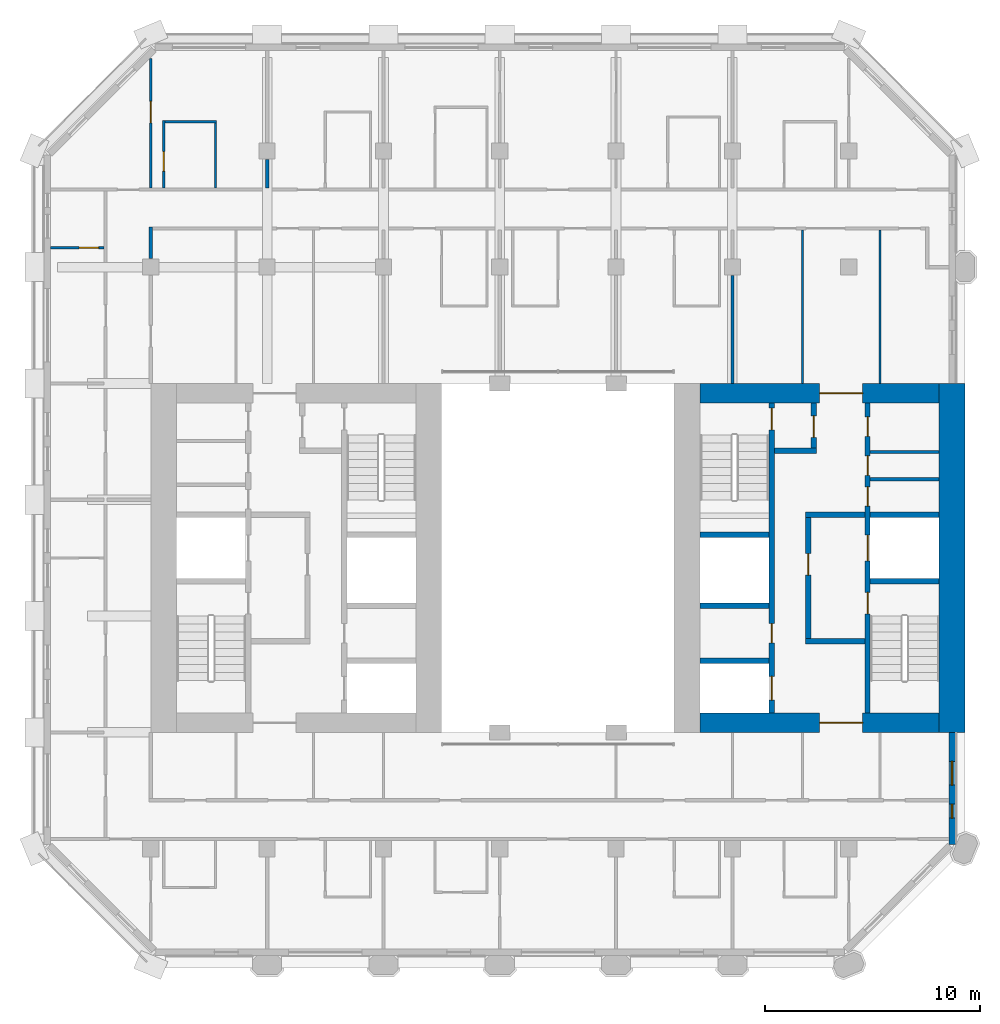
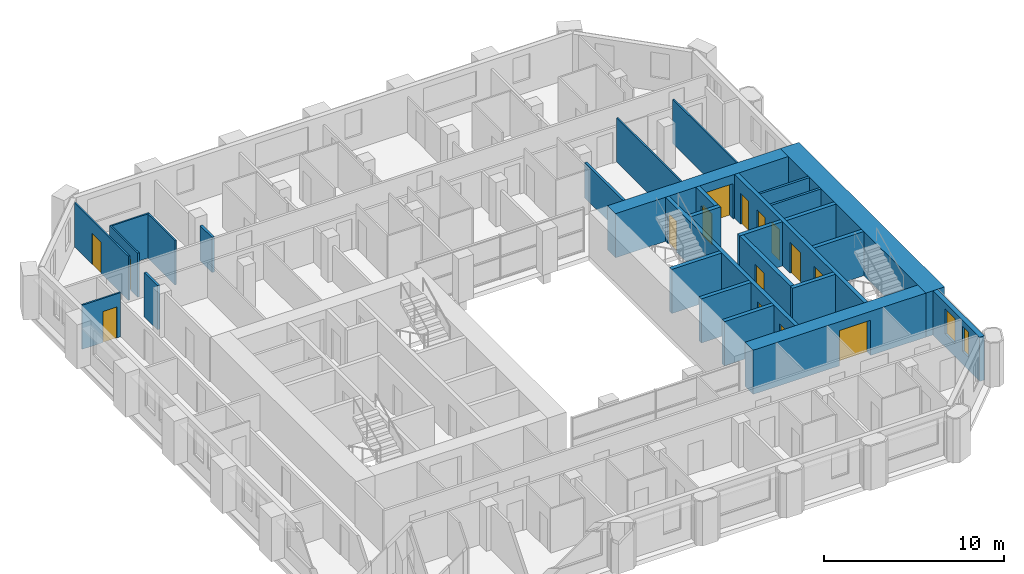
# One storey, part 9 of 14: 28 walls, 15 doors, 2 windows, 17 openings.
"""IFC4 building model written with IfcOpenShell, lengths in metres."""

from ifc_helpers import new_model, si_unit, direction, frame, frame_2d, origin, place, context, subcontext, project, spatial, rectangle, extrude, material, layer, layer_set, type_object, element, fill, save


model = new_model("IFC4")

# Units and contexts
model_context = context("Model", 3, precision=1e-05, world=origin(), true_north=direction((0.0, 1.0)))
body_context = subcontext(model_context, "Body", "Model", "MODEL_VIEW")
ifc_project = project(units=[si_unit("LENGTHUNIT", "METRE"), si_unit("AREAUNIT", "SQUARE_METRE"), si_unit("VOLUMEUNIT", "CUBIC_METRE"), si_unit("PLANEANGLEUNIT", "RADIAN"), si_unit("MASSUNIT", "GRAM", prefix="KILO")], contexts=[model_context])

# Site, building, storey
site_placement = place(None, origin())
site = spatial("IfcSite", under=ifc_project, at=site_placement, CompositionType="ELEMENT")
building_placement = place(site_placement, origin())
building = spatial("IfcBuilding", under=site, at=building_placement, Name="Tabaq Tower and Sports Hall", CompositionType="ELEMENT")
storey_placement = place(building_placement, frame((0.0, 0.0, 217.0)))
storey = spatial("IfcBuildingStorey", under=building, at=storey_placement, Name="L54", CompositionType="ELEMENT", Elevation=217.0)

# Walls
ifc_material_1 = material(Name="Blockwork", Category="masonry")
ifc_layer_1 = layer(ifc_material_1, 0.14990234375)
ifc_layer_set_1 = layer_set([ifc_layer_1], Name="Core room partition 150 Blockwork")
wall_type_1 = type_object("IfcWallType", Name="Core room partition 150 Blockwork", PredefinedType="PARTITIONING", material=ifc_layer_set_1)
for number, where, z_axis, x_axis, name in (
    (1, (38.800048828125, 27.947998046875, 0.0), (0.0, 0.0, 1.0), (1.0, 0.0, 0.0), "Core room partition E L54"),
    (2, (38.800048828125, 29.217041015625, 0.0), (0.0, 0.0, 1.0), (1.0, 0.0, 0.0), "Core room partition E L54"),
):
    element("IfcWall", number, at=place(storey_placement, frame(where, z_axis=z_axis, x_axis=x_axis)), inside=storey, type_object=wall_type_1, Name=name, PredefinedType="PARTITIONING", context=body_context, shape_type="SweptSolid", body=[
        extrude(rectangle(XDim=3.199951171875, YDim=0.14990234375, at=frame_2d((1.60009765625, 0.0))), origin(), (0.0, 0.0, 1.0), 3.0),
    ])
ifc_material_2 = material(Name="Concrete C50/60", Category="concrete")
ifc_layer_2 = layer(ifc_material_2, 1.199951171875)
ifc_layer_set_2 = layer_set([ifc_layer_2], Name="Core wall 1200 Concrete C50/60")
wall_type_2 = type_object("IfcWallType", Name="Core wall 1200 Concrete C50/60", PredefinedType="SOLIDWALL", material=ifc_layer_set_2)
wall_1_placement = place(storey_placement, frame((42.60009765625, 32.39990234375, 0.0), z_axis=(0.0, 0.0, 1.0), x_axis=(0.0, -1.0, 0.0)))
element("IfcWall", 3, at=wall_1_placement, inside=storey, type_object=wall_type_2, Name="Core wall E L54", PredefinedType="SOLIDWALL", context=body_context, shape_type="SweptSolid", body=[
    extrude(rectangle(XDim=16.199951171875, YDim=1.199951171875, at=frame_2d((8.10009765625, 0.0))), origin(), (0.0, 0.0, 1.0), 3.0),
])

# Wall, opening, door
ifc_material_3 = material(Name="Concrete C50/60", Category="concrete")
ifc_layer_3 = layer(ifc_material_3, 0.89990234375)
ifc_layer_set_3 = layer_set([ifc_layer_3], Name="Core wall 900 Concrete C50/60")
wall_type_3 = type_object("IfcWallType", Name="Core wall 900 Concrete C50/60", PredefinedType="SOLIDWALL", material=ifc_layer_set_3)
wall_2_placement = place(storey_placement, frame((42.0, 16.64990234375, 0.0), z_axis=(0.0, 0.0, 1.0), x_axis=(-1.0, 0.0, 0.0)))
wall_2 = element("IfcWall", 4, at=wall_2_placement, inside=storey, type_object=wall_type_3, Name="Core wall E L54", PredefinedType="SOLIDWALL", context=body_context, shape_type="SweptSolid", body=[
    extrude(rectangle(XDim=11.10009765625, YDim=0.89990234375, at=frame_2d((5.550048828125, 0.0))), origin(), (0.0, 0.0, 1.0), 3.0),
])
opening_1_placement = place(wall_2_placement, frame((3.550048828125, 0.0, 0.0)))
opening_1 = element("IfcOpeningElement", 5, at=opening_1_placement, cuts=wall_2, Name="Opening PD-EL54-01", PredefinedType="OPENING", context=body_context, shape_type="SweptSolid", body=[
    extrude(rectangle(XDim=2.0, YDim=2.39990234375, at=frame_2d((1.0, 1.199951171875))), frame((0.0, 0.449951171875, 0.0), z_axis=(0.0, -1.0, 0.0), x_axis=(1.0, 0.0, 0.0)), (0.0, 0.0, 1.0), 0.89990234375),
])
ifc_material_4 = material(Name="Steel fire door", Category="steel")
door_type_1 = type_object("IfcDoorType", Name="Core entrance door 2000", OperationType="DOUBLE_DOOR_SINGLE_SWING", PredefinedType="DOOR", material=ifc_material_4)
door_1_placement = place(opening_1_placement, origin())
door_1 = element("IfcDoor", 6, at=door_1_placement, inside=storey, type_object=door_type_1, Name="Core entrance south E L54", OperationType="DOUBLE_DOOR_SINGLE_SWING", OverallHeight=2.39990234375, OverallWidth=2.0, PredefinedType="DOOR", context=body_context, shape_type="SweptSolid", body=[
    extrude(rectangle(XDim=2.0, YDim=2.39990234375, at=frame_2d((1.0, 1.199951171875))), frame((0.0, 0.02490234375, 0.0), z_axis=(0.0, -1.0, 0.0), x_axis=(1.0, 0.0, 0.0)), (0.0, 0.0, 1.0), 0.050048828125),
])
fill(opening_1, door_1)

wall_3_placement = place(storey_placement, frame((30.89990234375, 31.949951171875, 0.0), z_axis=(0.0, 0.0, 1.0), x_axis=(1.0, 0.0, 0.0)))
wall_3 = element("IfcWall", 7, at=wall_3_placement, inside=storey, type_object=wall_type_3, Name="Core wall E L54", PredefinedType="SOLIDWALL", context=body_context, shape_type="SweptSolid", body=[
    extrude(rectangle(XDim=11.10009765625, YDim=0.89990234375, at=frame_2d((5.550048828125, 0.0))), origin(), (0.0, 0.0, 1.0), 3.0),
])
opening_2_placement = place(wall_3_placement, frame((5.550048828125, 0.0, 0.0)))
opening_2 = element("IfcOpeningElement", 8, at=opening_2_placement, cuts=wall_3, Name="Opening PD-EL54-02", PredefinedType="OPENING", context=body_context, shape_type="SweptSolid", body=[
    extrude(rectangle(XDim=2.0, YDim=2.39990234375, at=frame_2d((1.0, 1.199951171875))), frame((0.0, 0.449951171875, 0.0), z_axis=(0.0, -1.0, 0.0), x_axis=(1.0, 0.0, 0.0)), (0.0, 0.0, 1.0), 0.89990234375),
])
door_2_placement = place(opening_2_placement, origin())
door_2 = element("IfcDoor", 9, at=door_2_placement, inside=storey, type_object=door_type_1, Name="Core entrance north E L54", OperationType="DOUBLE_DOOR_SINGLE_SWING", OverallHeight=2.39990234375, OverallWidth=2.0, PredefinedType="DOOR", context=body_context, shape_type="SweptSolid", body=[
    extrude(rectangle(XDim=2.0, YDim=2.39990234375, at=frame_2d((1.0, 1.199951171875))), frame((0.0, 0.02490234375, 0.0), z_axis=(0.0, -1.0, 0.0), x_axis=(1.0, 0.0, 0.0)), (0.0, 0.0, 1.0), 0.050048828125),
])
fill(opening_2, door_2)

ifc_material_5 = material(Name="Gypsum board on steel studs", Category="steel")
ifc_layer_4 = layer(ifc_material_5, 0.10009765625)
ifc_layer_set_4 = layer_set([ifc_layer_4], Name="Partition 100 Gypsum board")
wall_type_4 = type_object("IfcWallType", Name="Partition 100 Gypsum board", PredefinedType="PARTITIONING", material=ifc_layer_set_4)
wall_4_placement = place(storey_placement, frame((3.22509765625, 38.699951171875, 0.0), z_axis=(0.0, 0.0, 1.0), x_axis=(-1.0, 0.0, 0.0)))
wall_4 = element("IfcWall", 10, at=wall_4_placement, inside=storey, type_object=wall_type_4, Name="Partition wall L54", PredefinedType="PARTITIONING", context=body_context, shape_type="SweptSolid", body=[
    extrude(rectangle(XDim=2.47412109375, YDim=0.10009765625, at=frame_2d((1.237060546875, 0.0))), origin(), (0.0, 0.0, 1.0), 3.0),
])
opening_3_placement = place(wall_4_placement, frame((0.25, 0.0, 0.0)))
opening_3 = element("IfcOpeningElement", 11, at=opening_3_placement, cuts=wall_4, Name="Opening L54-004", PredefinedType="OPENING", context=body_context, shape_type="SweptSolid", body=[
    extrude(rectangle(XDim=0.89990234375, YDim=2.10009765625, at=frame_2d((0.449951171875, 1.050048828125))), frame((0.0, 0.050048828125, 0.0), z_axis=(0.0, -1.0, 0.0), x_axis=(1.0, 0.0, 0.0)), (0.0, 0.0, 1.0), 0.10009765625),
])
ifc_material_6 = material(Name="Timber leaf in steel frame", Category="steel")
door_type_2 = type_object("IfcDoorType", Name="Internal door 900 right hand", OperationType="SINGLE_SWING_RIGHT", PredefinedType="DOOR", material=ifc_material_6)
door_3_placement = place(opening_3_placement, origin())
door_3 = element("IfcDoor", 12, at=door_3_placement, inside=storey, type_object=door_type_2, Name="Internal door L54-004", OperationType="SINGLE_SWING_RIGHT", OverallHeight=2.10009765625, OverallWidth=0.89990234375, PredefinedType="DOOR", context=body_context, shape_type="SweptSolid", body=[
    extrude(rectangle(XDim=0.89990234375, YDim=2.10009765625, at=frame_2d((0.449951171875, 1.050048828125))), frame((0.0, 0.02490234375, 0.0), z_axis=(0.0, -1.0, 0.0), x_axis=(1.0, 0.0, 0.0)), (0.0, 0.0, 1.0), 0.050048828125),
])
fill(opening_3, door_3)

wall_5_placement = place(storey_placement, frame((5.39990234375, 47.48779296875, 0.0), z_axis=(0.0, 0.0, 1.0), x_axis=(0.0, -1.0, 0.0)))
wall_5 = element("IfcWall", 13, at=wall_5_placement, inside=storey, type_object=wall_type_4, Name="Partition wall L54", PredefinedType="PARTITIONING", context=body_context, shape_type="SweptSolid", body=[
    extrude(rectangle(XDim=6.0126953125, YDim=0.10009765625, at=frame_2d((3.00634765625, 0.0))), origin(), (0.0, 0.0, 1.0), 3.0),
])
opening_4_placement = place(wall_5_placement, frame((1.98779296875, 0.0, 0.0)))
opening_4 = element("IfcOpeningElement", 14, at=opening_4_placement, cuts=wall_5, Name="Opening L54-037", PredefinedType="OPENING", context=body_context, shape_type="SweptSolid", body=[
    extrude(rectangle(XDim=1.0, YDim=2.10009765625, at=frame_2d((0.5, 1.050048828125))), frame((0.0, 0.050048828125, 0.0), z_axis=(0.0, -1.0, 0.0), x_axis=(1.0, 0.0, 0.0)), (0.0, 0.0, 1.0), 0.10009765625),
])
ifc_material_7 = material(Name="Timber leaf in steel frame", Category="steel")
door_type_3 = type_object("IfcDoorType", Name="Internal door 1000 left hand", OperationType="SINGLE_SWING_LEFT", PredefinedType="DOOR", material=ifc_material_7)
door_4_placement = place(opening_4_placement, origin())
door_4 = element("IfcDoor", 15, at=door_4_placement, inside=storey, type_object=door_type_3, Name="Internal door L54-037", OperationType="SINGLE_SWING_LEFT", OverallHeight=2.10009765625, OverallWidth=1.0, PredefinedType="DOOR", context=body_context, shape_type="SweptSolid", body=[
    extrude(rectangle(XDim=1.0, YDim=2.10009765625, at=frame_2d((0.5, 1.050048828125))), frame((0.0, 0.02490234375, 0.0), z_axis=(0.0, -1.0, 0.0), x_axis=(1.0, 0.0, 0.0)), (0.0, 0.0, 1.0), 0.050048828125),
])
fill(opening_4, door_4)

wall_6_placement = place(storey_placement, frame((6.0, 41.47509765625, 0.0), z_axis=(0.0, 0.0, 1.0), x_axis=(0.0, 1.0, 0.0)))
wall_6 = element("IfcWall", 16, at=wall_6_placement, inside=storey, type_object=wall_type_4, Name="Partition wall L54", PredefinedType="PARTITIONING", context=body_context, shape_type="SweptSolid", body=[
    extrude(rectangle(XDim=3.125, YDim=0.10009765625, at=frame_2d((1.5625, 0.0))), origin(), (0.0, 0.0, 1.0), 3.0),
])
opening_5_placement = place(wall_6_placement, frame((0.78759765625, 0.0, 0.0)))
opening_5 = element("IfcOpeningElement", 17, at=opening_5_placement, cuts=wall_6, Name="Opening L54-009", PredefinedType="OPENING", context=body_context, shape_type="SweptSolid", body=[
    extrude(rectangle(XDim=0.89990234375, YDim=2.10009765625, at=frame_2d((0.449951171875, 1.050048828125))), frame((0.0, 0.050048828125, 0.0), z_axis=(0.0, -1.0, 0.0), x_axis=(1.0, 0.0, 0.0)), (0.0, 0.0, 1.0), 0.10009765625),
])
ifc_material_8 = material(Name="Timber leaf in steel frame", Category="steel")
door_type_4 = type_object("IfcDoorType", Name="Internal door 900 left hand", OperationType="SINGLE_SWING_LEFT", PredefinedType="DOOR", material=ifc_material_8)
door_5_placement = place(opening_5_placement, origin())
door_5 = element("IfcDoor", 18, at=door_5_placement, inside=storey, type_object=door_type_4, Name="Internal door L54-009", OperationType="SINGLE_SWING_LEFT", OverallHeight=2.10009765625, OverallWidth=0.89990234375, PredefinedType="DOOR", context=body_context, shape_type="SweptSolid", body=[
    extrude(rectangle(XDim=0.89990234375, YDim=2.10009765625, at=frame_2d((0.449951171875, 1.050048828125))), frame((0.0, 0.02490234375, 0.0), z_axis=(0.0, -1.0, 0.0), x_axis=(1.0, 0.0, 0.0)), (0.0, 0.0, 1.0), 0.050048828125),
])
fill(opening_5, door_5)

# Walls
wall_7_placement = place(storey_placement, frame((6.050048828125, 44.550048828125, 0.0), z_axis=(0.0, 0.0, 1.0), x_axis=(1.0, 0.0, 0.0)))
element("IfcWall", 19, at=wall_7_placement, inside=storey, type_object=wall_type_4, Name="Partition wall L54", PredefinedType="PARTITIONING", context=body_context, shape_type="SweptSolid", body=[
    extrude(rectangle(XDim=2.39990234375, YDim=0.10009765625, at=frame_2d((1.199951171875, 0.0))), origin(), (0.0, 0.0, 1.0), 3.0),
])
wall_8_placement = place(storey_placement, frame((8.39990234375, 44.5, 0.0), z_axis=(0.0, 0.0, 1.0), x_axis=(0.0, -1.0, 0.0)))
element("IfcWall", 20, at=wall_8_placement, inside=storey, type_object=wall_type_4, Name="Partition wall L54", PredefinedType="PARTITIONING", context=body_context, shape_type="SweptSolid", body=[
    extrude(rectangle(XDim=3.02490234375, YDim=0.10009765625, at=frame_2d((1.512451171875, 0.0))), origin(), (0.0, 0.0, 1.0), 3.0),
])
for number, where, z_axis, x_axis, name in (
    (21, (39.25, 32.39990234375, 0.0), (0.0, 0.0, 1.0), (0.0, 1.0, 0.0), "Partition wall L54"),
    (22, (35.64990234375, 39.52490234375, 0.0), (0.0, 0.0, 1.0), (0.0, -1.0, 0.0), "Partition wall L54"),
):
    element("IfcWall", number, at=place(storey_placement, frame(where, z_axis=z_axis, x_axis=x_axis)), inside=storey, type_object=wall_type_4, Name=name, PredefinedType="PARTITIONING", context=body_context, shape_type="SweptSolid", body=[
        extrude(rectangle(XDim=7.125, YDim=0.10009765625, at=frame_2d((3.5625, 0.0))), origin(), (0.0, 0.0, 1.0), 3.0),
    ])
ifc_material_9 = material(Name="Blockwork", Category="masonry")
ifc_layer_5 = layer(ifc_material_9, 0.14990234375)
ifc_layer_set_5 = layer_set([ifc_layer_5], Name="Separating wall 150 Blockwork")
wall_type_5 = type_object("IfcWallType", Name="Separating wall 150 Blockwork", PredefinedType="PARTITIONING", material=ifc_layer_set_5)
wall_9_placement = place(storey_placement, frame((32.39990234375, 32.39990234375, 0.0), z_axis=(0.0, 0.0, 1.0), x_axis=(0.0, 1.0, 0.0)))
element("IfcWall", 23, at=wall_9_placement, inside=storey, type_object=wall_type_5, Name="Separating wall L54", PredefinedType="PARTITIONING", context=body_context, shape_type="SweptSolid", body=[
    extrude(rectangle(XDim=5.005126953125, YDim=0.14990234375, at=frame_2d((2.50244140625, 0.0))), origin(), (0.0, 0.0, 1.0), 2.39990234375),
])
wall_10_placement = place(storey_placement, frame((10.800048828125, 42.804931640625, 0.0), z_axis=(0.0, 0.0, 1.0), x_axis=(0.0, -1.0, 0.0)))
element("IfcWall", 24, at=wall_10_placement, inside=storey, type_object=wall_type_5, Name="Separating wall L54", PredefinedType="PARTITIONING", context=body_context, shape_type="SweptSolid", body=[
    extrude(rectangle(XDim=1.329833984375, YDim=0.14990234375, at=frame_2d((0.6650390625, 0.0))), origin(), (0.0, 0.0, 1.0), 2.39990234375),
])
wall_11_placement = place(storey_placement, frame((5.39990234375, 38.195068359375, 0.0), z_axis=(0.0, 0.0, 1.0), x_axis=(0.0, 1.0, 0.0)))
element("IfcWall", 25, at=wall_11_placement, inside=storey, type_object=wall_type_5, Name="Separating wall L54", PredefinedType="PARTITIONING", context=body_context, shape_type="SweptSolid", body=[
    extrude(rectangle(XDim=1.47998046875, YDim=0.14990234375, at=frame_2d((0.739990234375, 0.0))), origin(), (0.0, 0.0, 1.0), 3.0),
])

# Wall, openings, doors
ifc_material_10 = material(Name="Concrete C40/50", Category="concrete")
ifc_layer_6 = layer(ifc_material_10, 0.25)
ifc_layer_set_6 = layer_set([ifc_layer_6], Name="Shaft and stair wall 250 Concrete C40/50")
wall_type_6 = type_object("IfcWallType", Name="Shaft and stair wall 250 Concrete C40/50", PredefinedType="SOLIDWALL", material=ifc_layer_set_6)
wall_12_placement = place(storey_placement, frame((38.675048828125, 17.10009765625, 0.0), z_axis=(0.0, 0.0, 1.0), x_axis=(0.0, 1.0, 0.0)))
wall_12 = element("IfcWall", 26, at=wall_12_placement, inside=storey, type_object=wall_type_6, Name="Shaft wall E L54", PredefinedType="SOLIDWALL", context=body_context, shape_type="SweptSolid", body=[
    extrude(rectangle(XDim=14.39990234375, YDim=0.25, at=frame_2d((7.199951171875, 0.0))), origin(), (0.0, 0.0, 1.0), 3.0),
])
opening_6_placement = place(wall_12_placement, frame((4.60009765625, 0.0, 0.0)))
opening_6 = element("IfcOpeningElement", 27, at=opening_6_placement, cuts=wall_12, Name="Opening SD-EL54-03", PredefinedType="OPENING", context=body_context, shape_type="SweptSolid", body=[
    extrude(rectangle(XDim=1.0, YDim=2.10009765625, at=frame_2d((0.5, 1.050048828125))), frame((0.0, 0.125, 0.0), z_axis=(0.0, -1.0, 0.0), x_axis=(1.0, 0.0, 0.0)), (0.0, 0.0, 1.0), 0.25),
])
opening_7_placement = place(wall_12_placement, frame((7.0625, 0.0, 0.0)))
opening_7 = element("IfcOpeningElement", 28, at=opening_7_placement, cuts=wall_12, Name="Opening LD-FF2-L54", PredefinedType="OPENING", context=body_context, shape_type="SweptSolid", body=[
    extrude(rectangle(XDim=1.199951171875, YDim=2.10009765625, at=frame_2d((0.60009765625, 1.050048828125))), frame((0.0, 0.125, 0.0), z_axis=(0.0, -1.0, 0.0), x_axis=(1.0, 0.0, 0.0)), (0.0, 0.0, 1.0), 0.25),
])
opening_8_placement = place(wall_12_placement, frame((9.59912109375, 0.0, 0.0)))
opening_8 = element("IfcOpeningElement", 29, at=opening_8_placement, cuts=wall_12, Name="Opening RD-EL54-09", PredefinedType="OPENING", context=body_context, shape_type="SweptSolid", body=[
    extrude(rectangle(XDim=0.89990234375, YDim=2.10009765625, at=frame_2d((0.449951171875, 1.050048828125))), frame((0.0, 0.125, 0.0), z_axis=(0.0, -1.0, 0.0), x_axis=(1.0, 0.0, 0.0)), (0.0, 0.0, 1.0), 0.25),
])
opening_9_placement = place(wall_12_placement, frame((11.032470703125, 0.0, 0.0)))
opening_9 = element("IfcOpeningElement", 30, at=opening_9_placement, cuts=wall_12, Name="Opening RD-EL54-10", PredefinedType="OPENING", context=body_context, shape_type="SweptSolid", body=[
    extrude(rectangle(XDim=0.89990234375, YDim=2.10009765625, at=frame_2d((0.449951171875, 1.050048828125))), frame((0.0, 0.125, 0.0), z_axis=(0.0, -1.0, 0.0), x_axis=(1.0, 0.0, 0.0)), (0.0, 0.0, 1.0), 0.25),
])
opening_10_placement = place(wall_12_placement, frame((12.845947265625, 0.0, 0.0)))
opening_10 = element("IfcOpeningElement", 31, at=opening_10_placement, cuts=wall_12, Name="Opening RD-EL54-11", PredefinedType="OPENING", context=body_context, shape_type="SweptSolid", body=[
    extrude(rectangle(XDim=0.89990234375, YDim=2.10009765625, at=frame_2d((0.449951171875, 1.050048828125))), frame((0.0, 0.125, 0.0), z_axis=(0.0, -1.0, 0.0), x_axis=(1.0, 0.0, 0.0)), (0.0, 0.0, 1.0), 0.25),
])
ifc_material_11 = material(Name="Steel fire door", Category="steel")
door_type_5 = type_object("IfcDoorType", Name="Core room door 900", OperationType="SINGLE_SWING_LEFT", PredefinedType="DOOR", material=ifc_material_11)
door_6_placement = place(opening_8_placement, origin())
door_6 = element("IfcDoor", 32, at=door_6_placement, inside=storey, type_object=door_type_5, Name="Door Accessible WC E L54", OperationType="SINGLE_SWING_LEFT", OverallHeight=2.10009765625, OverallWidth=0.89990234375, PredefinedType="DOOR", context=body_context, shape_type="SweptSolid", body=[
    extrude(rectangle(XDim=0.89990234375, YDim=2.10009765625, at=frame_2d((0.449951171875, 1.050048828125))), frame((0.0, 0.02490234375, 0.0), z_axis=(0.0, -1.0, 0.0), x_axis=(1.0, 0.0, 0.0)), (0.0, 0.0, 1.0), 0.050048828125),
])
fill(opening_8, door_6)
door_7_placement = place(opening_9_placement, origin())
door_7 = element("IfcDoor", 33, at=door_7_placement, inside=storey, type_object=door_type_5, Name="Door Electrical Riser Room E L54", OperationType="SINGLE_SWING_LEFT", OverallHeight=2.10009765625, OverallWidth=0.89990234375, PredefinedType="DOOR", context=body_context, shape_type="SweptSolid", body=[
    extrude(rectangle(XDim=0.89990234375, YDim=2.10009765625, at=frame_2d((0.449951171875, 1.050048828125))), frame((0.0, 0.02490234375, 0.0), z_axis=(0.0, -1.0, 0.0), x_axis=(1.0, 0.0, 0.0)), (0.0, 0.0, 1.0), 0.050048828125),
])
fill(opening_9, door_7)
door_8_placement = place(opening_10_placement, origin())
door_8 = element("IfcDoor", 34, at=door_8_placement, inside=storey, type_object=door_type_5, Name="Door Unisex WC E L54", OperationType="SINGLE_SWING_LEFT", OverallHeight=2.10009765625, OverallWidth=0.89990234375, PredefinedType="DOOR", context=body_context, shape_type="SweptSolid", body=[
    extrude(rectangle(XDim=0.89990234375, YDim=2.10009765625, at=frame_2d((0.449951171875, 1.050048828125))), frame((0.0, 0.02490234375, 0.0), z_axis=(0.0, -1.0, 0.0), x_axis=(1.0, 0.0, 0.0)), (0.0, 0.0, 1.0), 0.050048828125),
])
fill(opening_10, door_8)
ifc_material_12 = material(Name="Stainless steel", Category="steel")
door_type_6 = type_object("IfcDoorType", Name="Lift landing door 1200", OperationType="DOUBLE_DOOR_SLIDING", PredefinedType="DOOR", material=ifc_material_12)
door_9_placement = place(opening_7_placement, origin())
door_9 = element("IfcDoor", 35, at=door_9_placement, inside=storey, type_object=door_type_6, Name="Lift landing door FF2 E L54", OperationType="DOUBLE_DOOR_SLIDING", OverallHeight=2.10009765625, OverallWidth=1.199951171875, PredefinedType="DOOR", context=body_context, shape_type="SweptSolid", body=[
    extrude(rectangle(XDim=1.199951171875, YDim=2.10009765625, at=frame_2d((0.60009765625, 1.050048828125))), frame((0.0, 0.02490234375, 0.0), z_axis=(0.0, -1.0, 0.0), x_axis=(1.0, 0.0, 0.0)), (0.0, 0.0, 1.0), 0.050048828125),
])
fill(opening_7, door_9)
ifc_material_13 = material(Name="Steel fire door", Category="steel")
door_type_7 = type_object("IfcDoorType", Name="Stair door 1000", OperationType="SINGLE_SWING_LEFT", PredefinedType="DOOR", material=ifc_material_13)
door_10_placement = place(opening_6_placement, origin())
door_10 = element("IfcDoor", 36, at=door_10_placement, inside=storey, type_object=door_type_7, Name="Stair door ST3 E L54", OperationType="SINGLE_SWING_LEFT", OverallHeight=2.10009765625, OverallWidth=1.0, PredefinedType="DOOR", context=body_context, shape_type="SweptSolid", body=[
    extrude(rectangle(XDim=1.0, YDim=2.10009765625, at=frame_2d((0.5, 1.050048828125))), frame((0.0, 0.02490234375, 0.0), z_axis=(0.0, -1.0, 0.0), x_axis=(1.0, 0.0, 0.0)), (0.0, 0.0, 1.0), 0.050048828125),
])
fill(opening_6, door_10)

wall_13_placement = place(storey_placement, frame((34.22509765625, 17.10009765625, 0.0), z_axis=(0.0, 0.0, 1.0), x_axis=(0.0, 1.0, 0.0)))
wall_13 = element("IfcWall", 37, at=wall_13_placement, inside=storey, type_object=wall_type_6, Name="Shaft wall E L54", PredefinedType="SOLIDWALL", context=body_context, shape_type="SweptSolid", body=[
    extrude(rectangle(XDim=14.39990234375, YDim=0.25, at=frame_2d((7.199951171875, 0.0))), origin(), (0.0, 0.0, 1.0), 3.0),
])
opening_11_placement = place(wall_13_placement, frame((13.14990234375, 0.0, 0.0)))
opening_11 = element("IfcOpeningElement", 38, at=opening_11_placement, cuts=wall_13, Name="Opening SD-EL54-05", PredefinedType="OPENING", context=body_context, shape_type="SweptSolid", body=[
    extrude(rectangle(XDim=1.0, YDim=2.10009765625, at=frame_2d((0.5, 1.050048828125))), frame((0.0, 0.125, 0.0), z_axis=(0.0, -1.0, 0.0), x_axis=(1.0, 0.0, 0.0)), (0.0, 0.0, 1.0), 0.25),
])
opening_12_placement = place(wall_13_placement, frame((0.60009765625, 0.0, 0.0)))
opening_12 = element("IfcOpeningElement", 39, at=opening_12_placement, cuts=wall_13, Name="Opening LD-MR2-L54", PredefinedType="OPENING", context=body_context, shape_type="SweptSolid", body=[
    extrude(rectangle(XDim=1.10009765625, YDim=2.10009765625, at=frame_2d((0.550048828125, 1.050048828125))), frame((0.0, 0.125, 0.0), z_axis=(0.0, -1.0, 0.0), x_axis=(1.0, 0.0, 0.0)), (0.0, 0.0, 1.0), 0.25),
])
opening_13_placement = place(wall_13_placement, frame((3.25, 0.0, 0.0)))
opening_13 = element("IfcOpeningElement", 40, at=opening_13_placement, cuts=wall_13, Name="Opening RD-EL54-12", PredefinedType="OPENING", context=body_context, shape_type="SweptSolid", body=[
    extrude(rectangle(XDim=0.89990234375, YDim=2.10009765625, at=frame_2d((0.449951171875, 1.050048828125))), frame((0.0, 0.125, 0.0), z_axis=(0.0, -1.0, 0.0), x_axis=(1.0, 0.0, 0.0)), (0.0, 0.0, 1.0), 0.25),
])
door_11_placement = place(opening_13_placement, origin())
door_11 = element("IfcDoor", 41, at=door_11_placement, inside=storey, type_object=door_type_5, Name="Door Cleaner's Store E L54", OperationType="SINGLE_SWING_LEFT", OverallHeight=2.10009765625, OverallWidth=0.89990234375, PredefinedType="DOOR", context=body_context, shape_type="SweptSolid", body=[
    extrude(rectangle(XDim=0.89990234375, YDim=2.10009765625, at=frame_2d((0.449951171875, 1.050048828125))), frame((0.0, 0.02490234375, 0.0), z_axis=(0.0, -1.0, 0.0), x_axis=(1.0, 0.0, 0.0)), (0.0, 0.0, 1.0), 0.050048828125),
])
fill(opening_13, door_11)
ifc_material_14 = material(Name="Stainless steel", Category="steel")
door_type_8 = type_object("IfcDoorType", Name="Lift landing door 1100", OperationType="DOUBLE_DOOR_SLIDING", PredefinedType="DOOR", material=ifc_material_14)
door_12_placement = place(opening_12_placement, origin())
door_12 = element("IfcDoor", 42, at=door_12_placement, inside=storey, type_object=door_type_8, Name="Lift landing door MR2 E L54", OperationType="DOUBLE_DOOR_SLIDING", OverallHeight=2.10009765625, OverallWidth=1.10009765625, PredefinedType="DOOR", context=body_context, shape_type="SweptSolid", body=[
    extrude(rectangle(XDim=1.10009765625, YDim=2.10009765625, at=frame_2d((0.550048828125, 1.050048828125))), frame((0.0, 0.02490234375, 0.0), z_axis=(0.0, -1.0, 0.0), x_axis=(1.0, 0.0, 0.0)), (0.0, 0.0, 1.0), 0.050048828125),
])
fill(opening_12, door_12)
door_13_placement = place(opening_11_placement, origin())
door_13 = element("IfcDoor", 43, at=door_13_placement, inside=storey, type_object=door_type_7, Name="Stair door ST4 E L54", OperationType="SINGLE_SWING_LEFT", OverallHeight=2.10009765625, OverallWidth=1.0, PredefinedType="DOOR", context=body_context, shape_type="SweptSolid", body=[
    extrude(rectangle(XDim=1.0, YDim=2.10009765625, at=frame_2d((0.5, 1.050048828125))), frame((0.0, 0.02490234375, 0.0), z_axis=(0.0, -1.0, 0.0), x_axis=(1.0, 0.0, 0.0)), (0.0, 0.0, 1.0), 0.050048828125),
])
fill(opening_11, door_13)

# Walls
wall_14_placement = place(storey_placement, frame((38.800048828125, 23.22509765625, 0.0), z_axis=(0.0, 0.0, 1.0), x_axis=(1.0, 0.0, 0.0)))
element("IfcWall", 44, at=wall_14_placement, inside=storey, type_object=wall_type_6, Name="Stair enclosure wall E L54", PredefinedType="SOLIDWALL", context=body_context, shape_type="SweptSolid", body=[
    extrude(rectangle(XDim=3.199951171875, YDim=0.25, at=frame_2d((1.60009765625, 0.0))), origin(), (0.0, 0.0, 1.0), 3.0),
])
for number, where, z_axis, x_axis, name in (
    (45, (30.89990234375, 25.375, 0.0), (0.0, 0.0, 1.0), (1.0, 0.0, 0.0), "Stair enclosure wall E L54"),
    (46, (30.89990234375, 22.074951171875, 0.0), (0.0, 0.0, 1.0), (1.0, 0.0, 0.0), "Shaft wall E L54"),
):
    element("IfcWall", number, at=place(storey_placement, frame(where, z_axis=z_axis, x_axis=x_axis)), inside=storey, type_object=wall_type_6, Name=name, PredefinedType="SOLIDWALL", context=body_context, shape_type="SweptSolid", body=[
        extrude(rectangle(XDim=3.2001953125, YDim=0.25, at=frame_2d((1.60009765625, 0.0))), origin(), (0.0, 0.0, 1.0), 3.0),
    ])
wall_15_placement = place(storey_placement, frame((38.800048828125, 26.300048828125, 0.0), z_axis=(0.0, 0.0, 1.0), x_axis=(1.0, 0.0, 0.0)))
element("IfcWall", 47, at=wall_15_placement, inside=storey, type_object=wall_type_6, Name="Shaft wall E L54", PredefinedType="SOLIDWALL", context=body_context, shape_type="SweptSolid", body=[
    extrude(rectangle(XDim=3.199951171875, YDim=0.25, at=frame_2d((1.60009765625, 0.0))), origin(), (0.0, 0.0, 1.0), 3.0),
])
for number, where, z_axis, x_axis, name in (
    (48, (35.800048828125, 26.300048828125, 0.0), (0.0, 0.0, 1.0), (1.0, 0.0, 0.0), "Fire-fighting lobby wall E L54"),
    (49, (35.800048828125, 20.425048828125, 0.0), (0.0, 0.0, 1.0), (1.0, 0.0, 0.0), "Fire-fighting lobby wall E L54"),
):
    element("IfcWall", number, at=place(storey_placement, frame(where, z_axis=z_axis, x_axis=x_axis)), inside=storey, type_object=wall_type_6, Name=name, PredefinedType="SOLIDWALL", context=body_context, shape_type="SweptSolid", body=[
        extrude(rectangle(XDim=2.75, YDim=0.25, at=frame_2d((1.375, 0.0))), origin(), (0.0, 0.0, 1.0), 3.0),
    ])

# Wall, opening, door
wall_16_placement = place(storey_placement, frame((36.175048828125, 29.39990234375, 0.0), z_axis=(0.0, 0.0, 1.0), x_axis=(0.0, 1.0, 0.0)))
wall_16 = element("IfcWall", 50, at=wall_16_placement, inside=storey, type_object=wall_type_6, Name="Fire-fighting lobby wall E L54", PredefinedType="SOLIDWALL", context=body_context, shape_type="SweptSolid", body=[
    extrude(rectangle(XDim=2.10009765625, YDim=0.25, at=frame_2d((1.050048828125, 0.0))), origin(), (0.0, 0.0, 1.0), 3.0),
])
opening_14_placement = place(wall_16_placement, frame((0.5, 0.0, 0.0)))
opening_14 = element("IfcOpeningElement", 51, at=opening_14_placement, cuts=wall_16, Name="Opening FD-EL54-06", PredefinedType="OPENING", context=body_context, shape_type="SweptSolid", body=[
    extrude(rectangle(XDim=1.0, YDim=2.10009765625, at=frame_2d((0.5, 1.050048828125))), frame((0.0, 0.125, 0.0), z_axis=(0.0, -1.0, 0.0), x_axis=(1.0, 0.0, 0.0)), (0.0, 0.0, 1.0), 0.25),
])
ifc_material_15 = material(Name="Steel fire door", Category="steel")
door_type_9 = type_object("IfcDoorType", Name="Fire-fighting lobby door 1000", OperationType="SINGLE_SWING_LEFT", PredefinedType="DOOR", material=ifc_material_15)
door_14_placement = place(opening_14_placement, origin())
door_14 = element("IfcDoor", 52, at=door_14_placement, inside=storey, type_object=door_type_9, Name="Stair lobby door E L54", OperationType="SINGLE_SWING_LEFT", OverallHeight=2.10009765625, OverallWidth=1.0, PredefinedType="DOOR", context=body_context, shape_type="SweptSolid", body=[
    extrude(rectangle(XDim=1.0, YDim=2.10009765625, at=frame_2d((0.5, 1.050048828125))), frame((0.0, 0.02490234375, 0.0), z_axis=(0.0, -1.0, 0.0), x_axis=(1.0, 0.0, 0.0)), (0.0, 0.0, 1.0), 0.050048828125),
])
fill(opening_14, door_14)

# Wall
wall_17_placement = place(storey_placement, frame((34.35009765625, 29.27490234375, 0.0), z_axis=(0.0, 0.0, 1.0), x_axis=(1.0, 0.0, 0.0)))
element("IfcWall", 53, at=wall_17_placement, inside=storey, type_object=wall_type_6, Name="Fire-fighting lobby wall E L54", PredefinedType="SOLIDWALL", context=body_context, shape_type="SweptSolid", body=[
    extrude(rectangle(XDim=1.949951171875, YDim=0.25, at=frame_2d((0.97509765625, 0.0))), origin(), (0.0, 0.0, 1.0), 3.0),
])

# Wall, opening, door
wall_18_placement = place(storey_placement, frame((35.925048828125, 20.550048828125, 0.0), z_axis=(0.0, 0.0, 1.0), x_axis=(0.0, 1.0, 0.0)))
wall_18 = element("IfcWall", 54, at=wall_18_placement, inside=storey, type_object=wall_type_6, Name="Fire-fighting lobby wall E L54", PredefinedType="SOLIDWALL", context=body_context, shape_type="SweptSolid", body=[
    extrude(rectangle(XDim=5.625, YDim=0.25, at=frame_2d((2.8125, 0.0))), origin(), (0.0, 0.0, 1.0), 3.0),
])
opening_15_placement = place(wall_18_placement, frame((2.949951171875, 0.0, 0.0)))
opening_15 = element("IfcOpeningElement", 55, at=opening_15_placement, cuts=wall_18, Name="Opening FD-EL54-04", PredefinedType="OPENING", context=body_context, shape_type="SweptSolid", body=[
    extrude(rectangle(XDim=1.0, YDim=2.10009765625, at=frame_2d((0.5, 1.050048828125))), frame((0.0, 0.125, 0.0), z_axis=(0.0, -1.0, 0.0), x_axis=(1.0, 0.0, 0.0)), (0.0, 0.0, 1.0), 0.25),
])
door_15_placement = place(opening_15_placement, origin())
door_15 = element("IfcDoor", 56, at=door_15_placement, inside=storey, type_object=door_type_9, Name="Fire-fighting lobby door E L54", OperationType="SINGLE_SWING_LEFT", OverallHeight=2.10009765625, OverallWidth=1.0, PredefinedType="DOOR", context=body_context, shape_type="SweptSolid", body=[
    extrude(rectangle(XDim=1.0, YDim=2.10009765625, at=frame_2d((0.5, 1.050048828125))), frame((0.0, 0.02490234375, 0.0), z_axis=(0.0, -1.0, 0.0), x_axis=(1.0, 0.0, 0.0)), (0.0, 0.0, 1.0), 0.050048828125),
])
fill(opening_15, door_15)

# Wall
wall_19_placement = place(storey_placement, frame((30.89990234375, 19.52490234375, 0.0), z_axis=(0.0, 0.0, 1.0), x_axis=(1.0, 0.0, 0.0)))
element("IfcWall", 57, at=wall_19_placement, inside=storey, type_object=wall_type_6, Name="Shaft wall E L54", PredefinedType="SOLIDWALL", context=body_context, shape_type="SweptSolid", body=[
    extrude(rectangle(XDim=3.2001953125, YDim=0.25, at=frame_2d((1.60009765625, 0.0))), origin(), (0.0, 0.0, 1.0), 3.0),
])

# Wall, openings, windows
ifc_material_16 = material(Name="White precast concrete C60/75", Category="concrete")
ifc_layer_7 = layer(ifc_material_16, 0.300048828125)
ifc_layer_set_7 = layer_set([ifc_layer_7], Name="White precast concrete C60/75 external wall 300")
wall_type_7 = type_object("IfcWallType", Name="White precast concrete C60/75 external wall 300", PredefinedType="SOLIDWALL", material=ifc_layer_set_7)
wall_20_placement = place(storey_placement, frame((42.60009765625, 10.986328125, 0.0), z_axis=(0.0, 0.0, 1.0), x_axis=(0.0, 1.0, 0.0)))
wall_20 = element("IfcWall", 58, at=wall_20_placement, inside=storey, type_object=wall_type_7, Name="External Wall L54 E", PredefinedType="SOLIDWALL", context=body_context, shape_type="SweptSolid", body=[
    extrude(rectangle(XDim=5.213623046875, YDim=0.300048828125, at=frame_2d((2.60693359375, 0.0))), origin(), (0.0, 0.0, 1.0), 3.0),
])
opening_16_placement = place(wall_20_placement, frame((1.238525390625, 0.0, 0.89990234375)))
opening_16 = element("IfcOpeningElement", 59, at=opening_16_placement, cuts=wall_20, Name="Opening W1C", PredefinedType="OPENING", context=body_context, shape_type="SweptSolid", body=[
    extrude(rectangle(XDim=0.64990234375, YDim=1.699951171875, at=frame_2d((0.324951171875, 0.85009765625))), frame((0.0, 0.16015625, 0.0), z_axis=(0.0, -1.0, 0.0), x_axis=(1.0, 0.0, 0.0)), (0.0, 0.0, 1.0), 0.320068359375),
])
opening_17_placement = place(wall_20_placement, frame((2.763671875, 0.0, 0.89990234375)))
opening_17 = element("IfcOpeningElement", 60, at=opening_17_placement, cuts=wall_20, Name="Opening W1B", PredefinedType="OPENING", context=body_context, shape_type="SweptSolid", body=[
    extrude(rectangle(XDim=1.10009765625, YDim=1.699951171875, at=frame_2d((0.550048828125, 0.85009765625))), frame((0.0, 0.16015625, 0.0), z_axis=(0.0, -1.0, 0.0), x_axis=(1.0, 0.0, 0.0)), (0.0, 0.0, 1.0), 0.320068359375),
])
ifc_material_17 = material(Name="Aluminium framed clear glazing", Category="aluminium")
window_type_1 = type_object("IfcWindowType", Name="Window W1B", PartitioningType="SINGLE_PANEL", PredefinedType="WINDOW", material=ifc_material_17)
window_1_placement = place(opening_17_placement, origin())
window_1 = element("IfcWindow", 61, at=window_1_placement, inside=storey, type_object=window_type_1, Name="Window W1B L54", OverallHeight=1.699951171875, OverallWidth=1.10009765625, PartitioningType="SINGLE_PANEL", PredefinedType="WINDOW", context=body_context, shape_type="SweptSolid", body=[
    extrude(rectangle(XDim=1.10009765625, YDim=1.699951171875, at=frame_2d((0.550048828125, 0.85009765625))), frame((0.0, 0.030029296875, 0.0), z_axis=(0.0, -1.0, 0.0), x_axis=(1.0, 0.0, 0.0)), (0.0, 0.0, 1.0), 0.06005859375),
])
fill(opening_17, window_1)
ifc_material_18 = material(Name="Aluminium framed clear glazing", Category="aluminium")
window_type_2 = type_object("IfcWindowType", Name="Window W1C", PartitioningType="SINGLE_PANEL", PredefinedType="WINDOW", material=ifc_material_18)
window_2_placement = place(opening_16_placement, origin())
window_2 = element("IfcWindow", 62, at=window_2_placement, inside=storey, type_object=window_type_2, Name="Window W1C L54", OverallHeight=1.699951171875, OverallWidth=0.64990234375, PartitioningType="SINGLE_PANEL", PredefinedType="WINDOW", context=body_context, shape_type="SweptSolid", body=[
    extrude(rectangle(XDim=0.64990234375, YDim=1.699951171875, at=frame_2d((0.324951171875, 0.85009765625))), frame((0.0, 0.030029296875, 0.0), z_axis=(0.0, -1.0, 0.0), x_axis=(1.0, 0.0, 0.0)), (0.0, 0.0, 1.0), 0.06005859375),
])
fill(opening_16, window_2)

save(model, "model.ifc")
